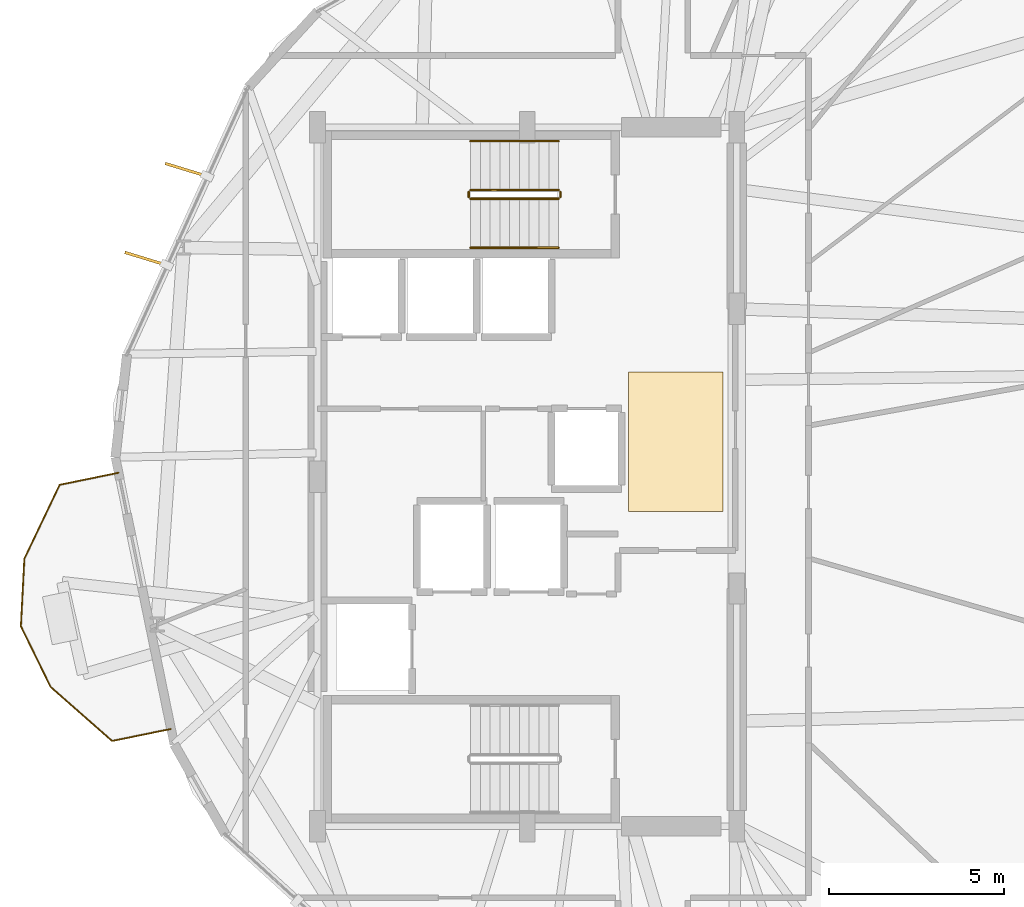
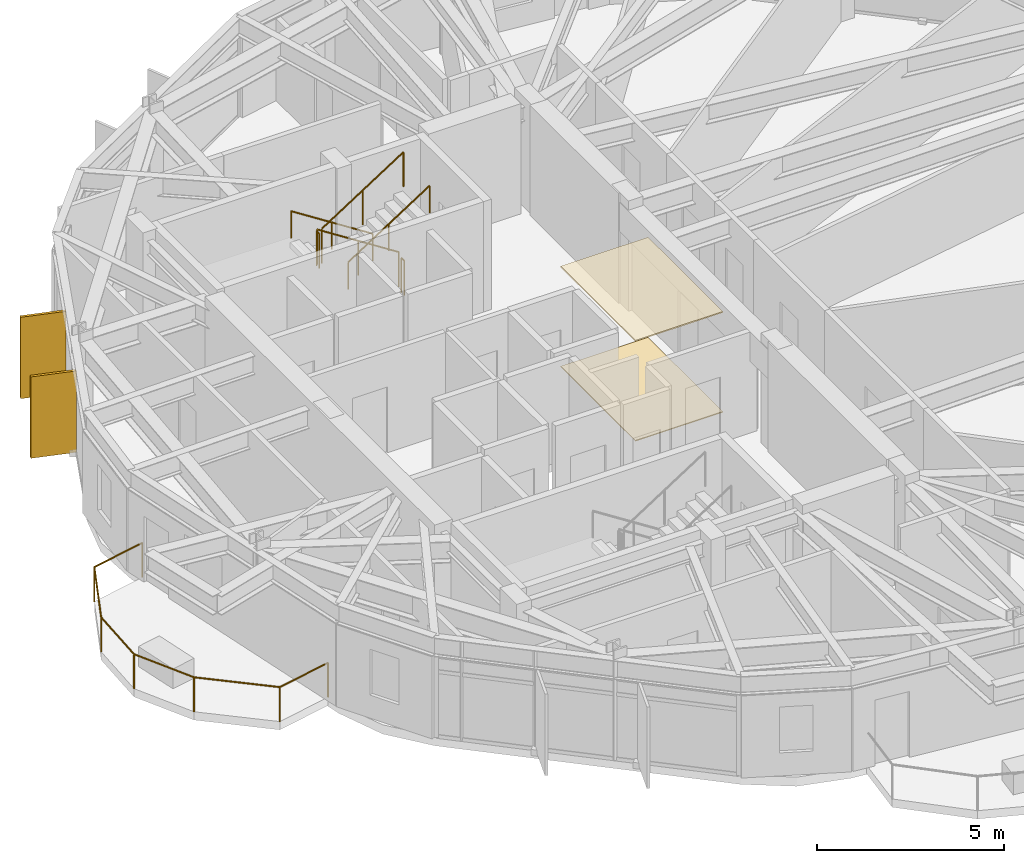
# One storey, part 21 of 22: 7 railings, 2 coverings, 2 shading devices.
"""IFC4 building model written with IfcOpenShell, lengths in metres."""

from ifc_helpers import new_model, si_unit, direction, frame, origin, origin_2d, place, context, subcontext, project, spatial, polyline, rectangle, circle, outline, extrude, material, layer, layer_set, type_object, element, save


model = new_model("IFC4")

# Units and contexts
model_context = context("Model", 3, precision=1e-05, world=origin(), true_north=direction((0.0, 1.0)))
body_context = subcontext(model_context, "Body", "Model", "MODEL_VIEW")
ifc_project = project(units=[si_unit("LENGTHUNIT", "METRE"), si_unit("AREAUNIT", "SQUARE_METRE"), si_unit("VOLUMEUNIT", "CUBIC_METRE"), si_unit("PLANEANGLEUNIT", "RADIAN"), si_unit("MASSUNIT", "GRAM", prefix="KILO")], contexts=[model_context])

# Site, building, storey
site_placement = place(None, origin())
site = spatial("IfcSite", under=ifc_project, at=site_placement, CompositionType="ELEMENT")
building_placement = place(site_placement, origin())
building = spatial("IfcBuilding", under=site, at=building_placement, Name="Soratama Intermodal Tower", CompositionType="ELEMENT")
storey_placement = place(building_placement, frame((0.0, 0.0, 142.60009765625)))
storey = spatial("IfcBuildingStorey", under=building, at=storey_placement, Name="L34", CompositionType="ELEMENT", Elevation=142.60009765625)

# Coverings
ifc_material_1 = material(Name="Perforated mineral acoustic ceiling", Category="concrete")
ifc_layer_1 = layer(ifc_material_1, 0.0400390625)
ifc_layer_set_1 = layer_set([ifc_layer_1], Name="Perforated mineral acoustic ceiling")
covering_type_1 = type_object("IfcCoveringType", Name="CV-CEIL-ACOUSTIC", PredefinedType="CEILING", material=ifc_layer_set_1)
covering_1_placement = place(storey_placement, frame((0.0, 0.0, 3.260009765625)))
element("IfcCovering", 1, at=covering_1_placement, inside=storey, type_object=covering_type_1, Name="L34 Acoustic Ceiling", PredefinedType="CEILING", context=body_context, shape_type="SweptSolid", body=[
    extrude(outline(polyline([(41.5, 24.0), (44.199951171875, 24.0), (44.199951171875, 28.0), (41.5, 28.0), (41.5, 24.0)])), origin(), (0.0, 0.0, 1.0), 0.039794921875),
])
ifc_material_2 = material(Name="Polished Andean stone terrazzo flooring", Category="masonry")
ifc_layer_2 = layer(ifc_material_2, 0.030029296875)
ifc_layer_set_2 = layer_set([ifc_layer_2], Name="Polished Andean stone terrazzo flooring")
covering_type_2 = type_object("IfcCoveringType", Name="CV-FLOR-TERRAZZO", PredefinedType="FLOORING", material=ifc_layer_set_2)
covering_2_placement = place(storey_placement, origin())
element("IfcCovering", 2, at=covering_2_placement, inside=storey, type_object=covering_type_2, Name="L34 Lobby Terrazzo Flooring", PredefinedType="FLOORING", context=body_context, shape_type="SweptSolid", body=[
    extrude(outline(polyline([(41.5, 24.0), (44.199951171875, 24.0), (44.199951171875, 28.0), (41.5, 28.0), (41.5, 24.0)])), origin(), (0.0, 0.0, 1.0), 0.02978515625),
])

# Railings
ifc_material_3 = material(Name="Laminated glass and stainless steel balustrade", Category="steel")
railing_type_1 = type_object("IfcRailingType", Name="RL-BAL-1150", PredefinedType="BALUSTRADE", material=ifc_material_3)
railing_1_placement = place(storey_placement, frame((28.41064453125, 17.78125, 0.0)))
element("IfcRailing", 3, at=railing_1_placement, inside=storey, type_object=railing_type_1, Name="L34 Balcony Balustrade 3", PredefinedType="BALUSTRADE", context=body_context, shape_type="SweptSolid", body=[
    extrude(circle(Radius=0.02392578125, at=origin_2d()), frame((0.0, 0.0, 1.1259765625), z_axis=(-0.979652818411, -0.200699664624, 0.0), x_axis=(0.200699664624, -0.979652818411, 0.0)), (0.0, 0.0, 1.0), 1.719970703125),
    extrude(circle(Radius=0.02392578125, at=origin_2d()), frame((-1.68505859375, -0.34521484375, 1.1259765625), z_axis=(-0.751124236863, 0.660160874937, 0.0), x_axis=(-0.660160874937, -0.751124236863, 0.0)), (0.0, 0.0, 1.0), 2.345703125),
    extrude(circle(Radius=0.02392578125, at=origin_2d()), frame((-3.447021484375, 1.203369140625, 1.1259765625), z_axis=(-0.439973483481, 0.898010764876, 0.0), x_axis=(-0.898010764876, -0.439973483481, 0.0)), (0.0, 0.0, 1.0), 1.9326171875),
    extrude(circle(Radius=0.02392578125, at=origin_2d()), frame((-4.29736328125, 2.93896484375, 1.1259765625), z_axis=(0.051411808522, 0.99867753852, 0.0), x_axis=(-0.99867753852, 0.051411808522, 0.0)), (0.0, 0.0, 1.0), 1.9326171875),
    extrude(circle(Radius=0.02392578125, at=origin_2d()), frame((-4.197998046875, 4.869140625, 1.1259765625), z_axis=(0.430902976693, 0.902398262785, 0.0), x_axis=(-0.902398262785, 0.430902976693, 0.0)), (0.0, 0.0, 1.0), 2.345703125),
    extrude(circle(Radius=0.02392578125, at=origin_2d()), frame((-3.187255859375, 6.98583984375, 1.1259765625), z_axis=(0.979652818411, 0.200699664624, 0.0), x_axis=(-0.200699664624, 0.979652818411, 0.0)), (0.0, 0.0, 1.0), 1.719970703125),
    extrude(circle(Radius=0.02099609375, at=origin_2d()), origin(), (0.0, 0.0, 1.0), 1.101806640625),
    extrude(circle(Radius=0.02099609375, at=origin_2d()), frame((-1.68505859375, -0.34521484375, 0.0)), (0.0, 0.0, 1.0), 1.101806640625),
    extrude(circle(Radius=0.02099609375, at=origin_2d()), frame((-3.447021484375, 1.203369140625, 0.0)), (0.0, 0.0, 1.0), 1.101806640625),
    extrude(circle(Radius=0.02099609375, at=origin_2d()), frame((-4.29736328125, 2.93896484375, 0.0)), (0.0, 0.0, 1.0), 1.101806640625),
    extrude(circle(Radius=0.02099609375, at=origin_2d()), frame((-4.197998046875, 4.869140625, 0.0)), (0.0, 0.0, 1.0), 1.101806640625),
    extrude(circle(Radius=0.02099609375, at=origin_2d()), frame((-3.187255859375, 6.98583984375, 0.0)), (0.0, 0.0, 1.0), 1.101806640625),
    extrude(circle(Radius=0.02099609375, at=origin_2d()), frame((-1.502197265625, 7.3310546875, 0.0)), (0.0, 0.0, 1.0), 1.101806640625),
])
ifc_material_4 = material(Name="Painted steel stair guardrail", Category="steel")
railing_type_2 = type_object("IfcRailingType", Name="RL-STAIR-GUARD", PredefinedType="GUARDRAIL", material=ifc_material_4)
railing_2_placement = place(storey_placement, frame((39.5, 33.199951171875, 0.179931640625)))
element("IfcRailing", 4, at=railing_2_placement, inside=storey, type_object=railing_type_2, Name="L34 ST-2 stair guard 1", PredefinedType="GUARDRAIL", context=body_context, shape_type="SweptSolid", body=[
    extrude(circle(Radius=0.02392578125, at=origin_2d()), frame((0.0, 0.0, 1.1259765625), z_axis=(-0.841199657755, 0.0, 0.540724639528), x_axis=(0.0, -1.0, 0.0)), (0.0, 0.0, 1.0), 2.995849609375),
    extrude(circle(Radius=0.02099609375, at=origin_2d()), origin(), (0.0, 0.0, 1.0), 1.101806640625),
    extrude(circle(Radius=0.02099609375, at=origin_2d()), frame((-1.260009765625, 0.0, 0.81005859375)), (0.0, 0.0, 1.0), 1.101806640625),
    extrude(circle(Radius=0.02099609375, at=origin_2d()), frame((-2.52001953125, 0.0, 1.619873046875)), (0.0, 0.0, 1.0), 1.101806640625),
])
railing_3_placement = place(storey_placement, frame((36.929931640625, 33.14990234375, 1.7998046875)))
element("IfcRailing", 5, at=railing_3_placement, inside=storey, type_object=railing_type_2, Name="L34 ST-2 stair guard 2", PredefinedType="GUARDRAIL", context=body_context, shape_type="SweptSolid", body=[
    extrude(circle(Radius=0.02392578125, at=origin_2d()), frame((0.0, 0.0, 1.1259765625), z_axis=(0.0, -1.0, 0.0), x_axis=(1.0, 0.0, 0.0)), (0.0, 0.0, 1.0), 0.14990234375),
    extrude(circle(Radius=0.02099609375, at=origin_2d()), origin(), (0.0, 0.0, 1.0), 1.101806640625),
    extrude(circle(Radius=0.02099609375, at=origin_2d()), frame((0.0, -0.14990234375, 0.0)), (0.0, 0.0, 1.0), 1.101806640625),
])
railing_4_placement = place(storey_placement, frame((36.97998046875, 32.949951171875, 1.97998046875)))
element("IfcRailing", 6, at=railing_4_placement, inside=storey, type_object=railing_type_2, Name="L34 ST-2 stair guard 3", PredefinedType="GUARDRAIL", context=body_context, shape_type="SweptSolid", body=[
    extrude(circle(Radius=0.02392578125, at=origin_2d()), frame((0.0, 0.0, 1.1259765625), z_axis=(0.841199657755, 0.0, 0.540724639528), x_axis=(0.0, 1.0, 0.0)), (0.0, 0.0, 1.0), 2.995849609375),
    extrude(circle(Radius=0.02099609375, at=origin_2d()), origin(), (0.0, 0.0, 1.0), 1.101806640625),
    extrude(circle(Radius=0.02099609375, at=origin_2d()), frame((1.260009765625, 0.0, 0.81005859375)), (0.0, 0.0, 1.0), 1.101806640625),
    extrude(circle(Radius=0.02099609375, at=origin_2d()), frame((2.52001953125, 0.0, 1.619873046875)), (0.0, 0.0, 1.0), 1.101806640625),
])
railing_5_placement = place(storey_placement, frame((39.550048828125, 33.14990234375, 0.0)))
element("IfcRailing", 7, at=railing_5_placement, inside=storey, type_object=railing_type_2, Name="L34 ST-2 stair guard 4", PredefinedType="GUARDRAIL", context=body_context, shape_type="SweptSolid", body=[
    extrude(circle(Radius=0.02392578125, at=origin_2d()), frame((0.0, 0.0, 1.1259765625), z_axis=(0.0, -1.0, 0.0), x_axis=(1.0, 0.0, 0.0)), (0.0, 0.0, 1.0), 0.14990234375),
    extrude(circle(Radius=0.02099609375, at=origin_2d()), origin(), (0.0, 0.0, 1.0), 1.101806640625),
    extrude(circle(Radius=0.02099609375, at=origin_2d()), frame((0.0, -0.14990234375, 0.0)), (0.0, 0.0, 1.0), 1.101806640625),
])
ifc_material_5 = material(Name="Brushed stainless steel handrail", Category="steel")
railing_type_3 = type_object("IfcRailingType", Name="RL-STAIR-HAND", PredefinedType="HANDRAIL", material=ifc_material_5)
railing_6_placement = place(storey_placement, frame((39.5, 34.60009765625, 0.179931640625)))
element("IfcRailing", 8, at=railing_6_placement, inside=storey, type_object=railing_type_3, Name="L34 ST-2 stair handrail 1", PredefinedType="HANDRAIL", context=body_context, shape_type="SweptSolid", body=[
    extrude(circle(Radius=0.02392578125, at=origin_2d()), frame((0.0, 0.0, 0.8759765625), z_axis=(-0.841199657755, 0.0, 0.540724639528), x_axis=(0.0, -1.0, 0.0)), (0.0, 0.0, 1.0), 2.995849609375),
    extrude(circle(Radius=0.02099609375, at=origin_2d()), origin(), (0.0, 0.0, 1.0), 0.851806640625),
    extrude(circle(Radius=0.02099609375, at=origin_2d()), frame((-1.260009765625, 0.0, 0.81005859375)), (0.0, 0.0, 1.0), 0.851806640625),
    extrude(circle(Radius=0.02099609375, at=origin_2d()), frame((-2.52001953125, 0.0, 1.619873046875)), (0.0, 0.0, 1.0), 0.851806640625),
])
railing_7_placement = place(storey_placement, frame((36.97998046875, 31.550048828125, 1.97998046875)))
element("IfcRailing", 9, at=railing_7_placement, inside=storey, type_object=railing_type_3, Name="L34 ST-2 stair handrail 2", PredefinedType="HANDRAIL", context=body_context, shape_type="SweptSolid", body=[
    extrude(circle(Radius=0.02392578125, at=origin_2d()), frame((0.0, 0.0, 0.8759765625), z_axis=(0.841199657755, 0.0, 0.540724639528), x_axis=(0.0, 1.0, 0.0)), (0.0, 0.0, 1.0), 2.995849609375),
    extrude(circle(Radius=0.02099609375, at=origin_2d()), origin(), (0.0, 0.0, 1.0), 0.851806640625),
    extrude(circle(Radius=0.02099609375, at=origin_2d()), frame((1.260009765625, 0.0, 0.81005859375)), (0.0, 0.0, 1.0), 0.851806640625),
    extrude(circle(Radius=0.02099609375, at=origin_2d()), frame((2.52001953125, 0.0, 1.619873046875)), (0.0, 0.0, 1.0), 0.851806640625),
])

# Shading devices
ifc_material_6 = material(Name="Champagne anodised aluminium solar fin", Category="aluminium")
ifc_layer_3 = layer(ifc_material_6, 0.080078125)
ifc_layer_set_3 = layer_set([ifc_layer_3], Name="Champagne anodised aluminium solar fin")
shading_device_type = type_object("IfcShadingDeviceType", Name="SH-FIN-1250", PredefinedType="USERDEFINED", material=ifc_layer_set_3)
for number, where, z_axis, x_axis, name in (
    (10, (28.843505859375, 33.77880859375, 0.02001953125), (0.0, 0.0, 1.0), (-0.956304755963, 0.292371704723, 0.0), "L34 Solar Fin F04-1"),
    (11, (27.688232421875, 31.234130859375, 0.02001953125), (0.0, 0.0, 1.0), (-0.956304755963, 0.292371704723, 0.0), "L34 Solar Fin F04-2"),
):
    element("IfcShadingDevice", number, at=place(storey_placement, frame(where, z_axis=z_axis, x_axis=x_axis)), inside=storey, type_object=shading_device_type, Name=name, ObjectType="FIN", PredefinedType="USERDEFINED", context=body_context, shape_type="SweptSolid", body=[
        extrude(rectangle(XDim=1.25, YDim=0.080078125, at=origin_2d()), origin(), (0.0, 0.0, 1.0), 2.658935546875),
    ])

save(model, "model.ifc")
